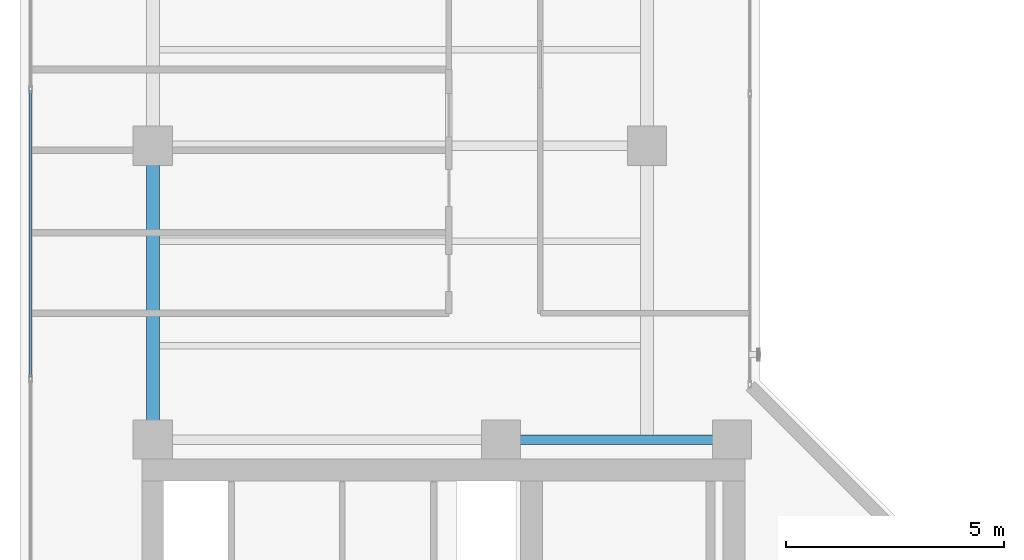
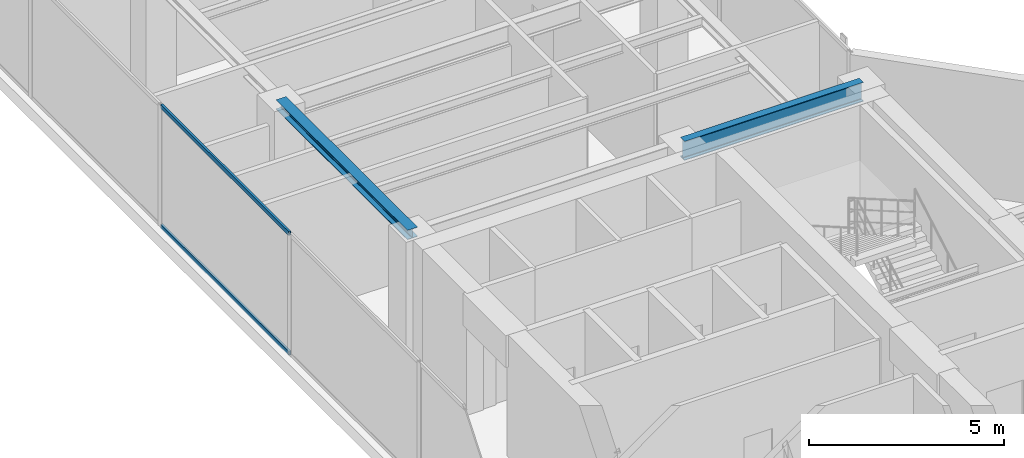
# One storey, part 10 of 32: 2 beams, 2 members, 1 element without a shape of its own.
"""IFC4 building model written with IfcOpenShell, lengths in metres."""

from ifc_helpers import new_model, si_unit, direction, frame, origin, origin_with_axes, origin_2d, place, context, subcontext, project, spatial, hollow_rectangle, i_section, extrude, source, transform, mapped, material, layer, layer_set, material_profile, profile_set, type_object, element, aggregate, save


model = new_model("IFC4")

# Units and contexts
model_context = context("Model", 3, precision=1e-05, world=origin(), true_north=direction((0.0, 1.0)))
body_context = subcontext(model_context, "Body", "Model", "MODEL_VIEW")
ifc_project = project(units=[si_unit("LENGTHUNIT", "METRE"), si_unit("AREAUNIT", "SQUARE_METRE"), si_unit("VOLUMEUNIT", "CUBIC_METRE"), si_unit("PLANEANGLEUNIT", "RADIAN"), si_unit("MASSUNIT", "GRAM", prefix="KILO")], contexts=[model_context])

# Site, building, storey
site_placement = place(None, origin())
site = spatial("IfcSite", under=ifc_project, at=site_placement, CompositionType="ELEMENT")
building_placement = place(site_placement, origin())
building = spatial("IfcBuilding", under=site, at=building_placement, Name="Kolvaren Waterfront Exchange", CompositionType="ELEMENT")
storey_placement = place(building_placement, frame((0.0, 0.0, 352.0)))
storey = spatial("IfcBuildingStorey", under=building, at=storey_placement, Name="L90", CompositionType="ELEMENT", Elevation=352.0)

# Beams
ifc_material_1 = material(Name="Steel S355", Category="steel")
ifc_material_profile_1 = material_profile(ifc_material_1, i_section(OverallWidth=0.300048828125, OverallDepth=0.300048828125, WebThickness=0.010986328125, FlangeThickness=0.01904296875, FilletRadius=0.027099609375, at=origin_2d()), Name="HEB300")
ifc_profile_set_1 = profile_set([ifc_material_profile_1], Name="Steel S355")
beam_type_1 = type_object("IfcBeamType", Name="STR-BM-HEB300", PredefinedType="SPANDREL", material=ifc_profile_set_1)
beam_1_placement = place(storey_placement, frame((7.449951171875, 24.449951171875, 3.669921875), z_axis=(0.0, 1.0, 0.0), x_axis=(-1.0, 0.0, 0.0)))
element("IfcBeam", 1, at=beam_1_placement, inside=storey, type_object=beam_type_1, Name="L90 north-arm edge beam 1", PredefinedType="SPANDREL", context=body_context, shape_type="SweptSolid", body=[
    extrude(i_section(OverallWidth=0.300048828125, OverallDepth=0.300048828125, WebThickness=0.010986328125, FlangeThickness=0.01904296875, FilletRadius=0.027099609375, at=origin_2d()), origin(), (0.0, 0.0, 1.0), 6.75),
])
ifc_material_profile_2 = material_profile(ifc_material_1, i_section(OverallWidth=0.219970703125, OverallDepth=0.60009765625, WebThickness=0.011962890625, FlangeThickness=0.01904296875, FilletRadius=0.02392578125, at=origin_2d()), Name="IPE600")
ifc_profile_set_2 = profile_set([ifc_material_profile_2], Name="Steel S355")
beam_type_2 = type_object("IfcBeamType", Name="STR-BM-IPE600", PredefinedType="BEAM", material=ifc_profile_set_2)
beam_2_placement = place(storey_placement, frame((15.449951171875, 24.449951171875, 3.52001953125), z_axis=(1.0, 0.0, 0.0), x_axis=(0.0, 1.0, 0.0)))
element("IfcBeam", 2, at=beam_2_placement, inside=storey, type_object=beam_type_2, Name="L90 north-arm girder 1B", PredefinedType="BEAM", context=body_context, shape_type="SweptSolid", body=[
    extrude(i_section(OverallWidth=0.219970703125, OverallDepth=0.60009765625, WebThickness=0.011962890625, FlangeThickness=0.01904296875, FilletRadius=0.02392578125, at=origin_2d()), origin(), (0.0, 0.0, 1.0), 5.300048828125),
])

# Curtain wall, members
ifc_material_2 = material(Name="Anodised bronze aluminium 6063-T6", Category="aluminium")
ifc_layer = layer(ifc_material_2, 0.219970703125, Name="Anodised bronze aluminium 6063-T6")
ifc_layer_set = layer_set([ifc_layer], Name="Anodised bronze aluminium 6063-T6")
curtain_wall_type = type_object("IfcCurtainWallType", Name="ARC-CW-SYS5", PredefinedType="USERDEFINED", material=ifc_layer_set)
curtain_wall_placement = place(storey_placement, origin())
curtain_wall = element("IfcCurtainWall", 3, at=curtain_wall_placement, inside=storey, type_object=curtain_wall_type, Name="L90 stick curtain wall CW5 (CW-L90-W)", ObjectType="STICK CURTAIN WALL", PredefinedType="USERDEFINED")
ifc_material_profile_3 = material_profile(ifc_material_2, hollow_rectangle(XDim=0.06494140625, YDim=0.1298828125, WallThickness=0.00390625, at=origin_2d()), Name="ALU-TRN-130x65x4")
ifc_profile_set_3 = profile_set([ifc_material_profile_3], Name="Anodised bronze aluminium 6063-T6")
member_type = type_object("IfcMemberType", Name="ARC-CWT-130", PredefinedType="USERDEFINED", material=ifc_profile_set_3)
shared_shape = source(origin_with_axes(), body_context, "Body", "SweptSolid", [
    extrude(hollow_rectangle(XDim=0.06494140625, YDim=0.1298828125, WallThickness=0.00390625, at=origin_2d()), origin(), (0.0, 0.0, 1.0), 6.574951171875),
])
member_1_placement = place(storey_placement, frame((4.639892578125, 25.887451171875, 0.032470703125), z_axis=(0.0, 1.0, 0.0), x_axis=(-1.0, 0.0, 0.0)))
member_1 = element("IfcMember", 4, at=member_1_placement, type_object=member_type, Name="CW5 transom 4.1", ObjectType="TRANSOM", PredefinedType="USERDEFINED", context=body_context, shape_type="MappedRepresentation", body=[
    mapped(shared_shape, transform((0.0, 0.0, 0.0), x_axis=(1.0, 0.0, 0.0), y_axis=(0.0, 1.0, 0.0), z_axis=(0.0, 0.0, 1.0), scale=1.0)),
])
member_2_placement = place(storey_placement, frame((4.639892578125, 25.887451171875, 3.78759765625), z_axis=(0.0, 1.0, 0.0), x_axis=(-1.0, 0.0, 0.0)))
member_2 = element("IfcMember", 5, at=member_2_placement, type_object=member_type, Name="CW5 transom 4.2", ObjectType="TRANSOM", PredefinedType="USERDEFINED", context=body_context, shape_type="MappedRepresentation", body=[
    mapped(shared_shape, transform((0.0, 0.0, 0.0), x_axis=(1.0, 0.0, 0.0), y_axis=(0.0, 1.0, 0.0), z_axis=(0.0, 0.0, 1.0), scale=1.0)),
])
aggregate(curtain_wall, [member_1, member_2])

save(model, "model.ifc")
